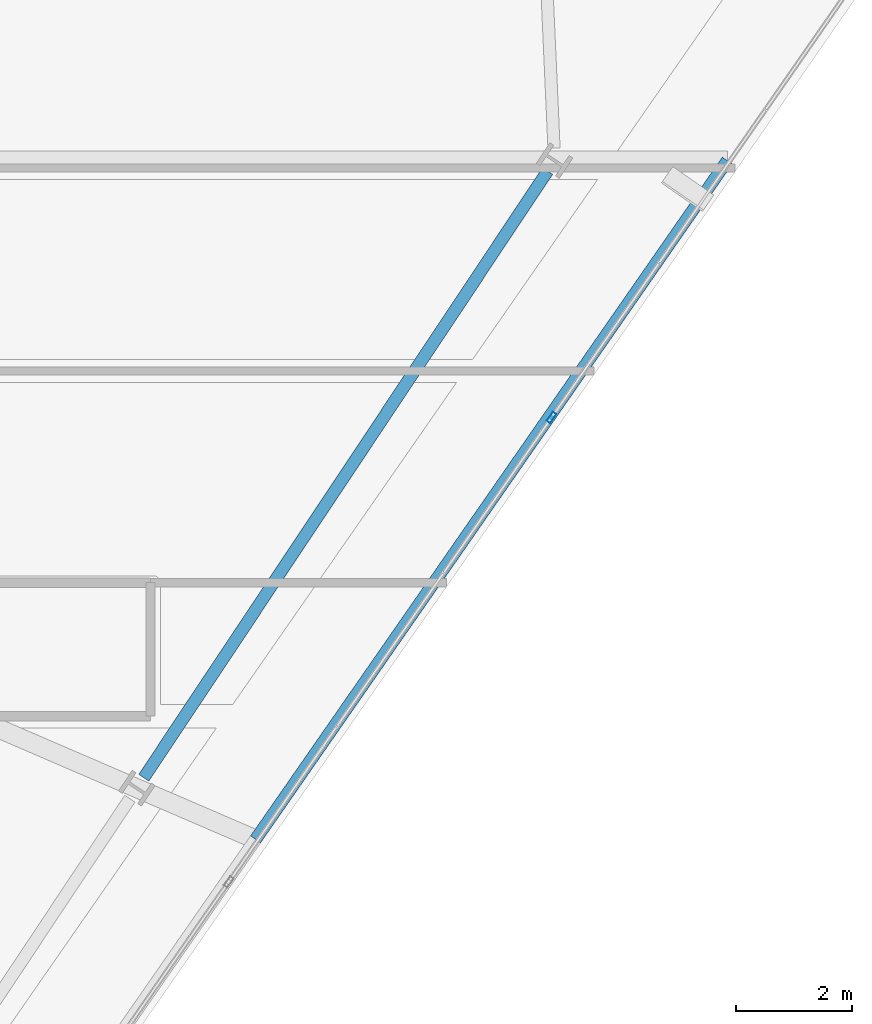
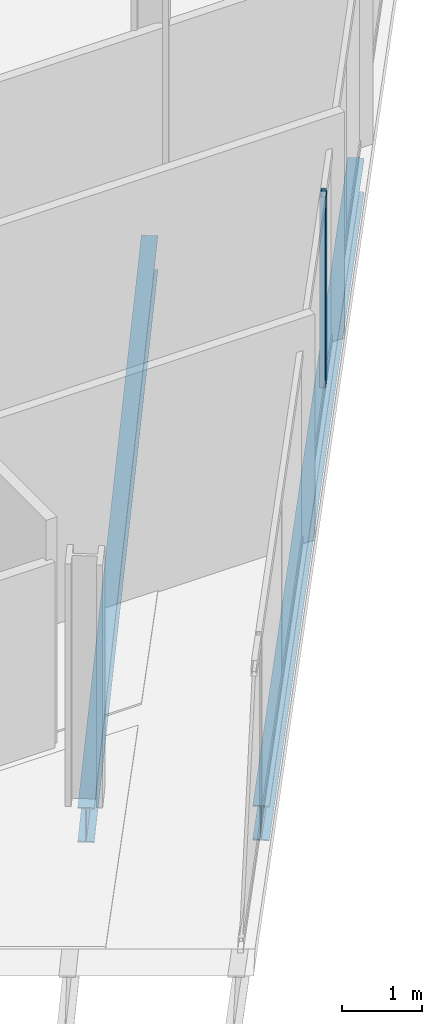
# One storey, part 12 of 30: 2 beams, 1 member, 1 element without a shape of its own.
"""IFC4 building model written with IfcOpenShell, lengths in metres."""

from ifc_helpers import new_model, si_unit, direction, frame, origin, origin_2d, place, context, subcontext, project, spatial, hollow_rectangle, i_section, extrude, material, material_profile, profile_set, type_object, element, aggregate, save


model = new_model("IFC4")

# Units and contexts
model_context = context("Model", 3, precision=1e-05, world=origin(), true_north=direction((0.0, 1.0)))
body_context = subcontext(model_context, "Body", "Model", "MODEL_VIEW")
ifc_project = project(units=[si_unit("LENGTHUNIT", "METRE"), si_unit("AREAUNIT", "SQUARE_METRE"), si_unit("VOLUMEUNIT", "CUBIC_METRE"), si_unit("PLANEANGLEUNIT", "RADIAN"), si_unit("MASSUNIT", "GRAM", prefix="KILO")], contexts=[model_context])

# Site, building, storey
site_placement = place(None, origin())
site = spatial("IfcSite", under=ifc_project, at=site_placement, CompositionType="ELEMENT")
building_placement = place(site_placement, origin())
building = spatial("IfcBuilding", under=site, at=building_placement, Name="Haldenkirk Collegiate Tower", CompositionType="ELEMENT")
storey_placement = place(building_placement, frame((0.0, 0.0, 213.449951171875)))
storey = spatial("IfcBuildingStorey", under=building, at=storey_placement, Name="L53", CompositionType="ELEMENT", Elevation=213.449951171875)

# Beams
ifc_material_1 = material(Name="Steel ASTM A992 Grade 50", Category="steel")
ifc_material_profile_1 = material_profile(ifc_material_1, i_section(OverallWidth=0.2099609375, OverallDepth=0.537109375, WebThickness=0.010986328125, FlangeThickness=0.017333984375, at=origin_2d()), Name="W21X68")
ifc_profile_set_1 = profile_set([ifc_material_profile_1], Name="Steel ASTM A992 Grade 50")
beam_type = type_object("IfcBeamType", Name="BM-SPANDREL-W21X68", PredefinedType="SPANDREL", material=ifc_profile_set_1)
beam_1_placement = place(storey_placement, frame((53.6845703125, 14.48876953125, -0.54833984375), z_axis=(0.554125989098, 0.832432813028, 0.0), x_axis=(-0.832432813028, 0.554125989098, 0.0)))
element("IfcBeam", 1, at=beam_1_placement, inside=storey, type_object=beam_type, Name="L53 perimeter spandrel beam 03", PredefinedType="SPANDREL", context=body_context, shape_type="SweptSolid", body=[
    extrude(i_section(OverallWidth=0.2099609375, OverallDepth=0.537109375, WebThickness=0.010986328125, FlangeThickness=0.017333984375, at=origin_2d()), origin(), (0.0, 0.0, 1.0), 12.56201171875),
])
beam_2_placement = place(storey_placement, frame((55.611083984375, 13.42578125, -0.54833984375), z_axis=(0.570720063594, 0.821144694321, 0.0), x_axis=(-0.821144694321, 0.570720063594, 0.0)))
element("IfcBeam", 2, at=beam_2_placement, inside=storey, type_object=beam_type, Name="L53 outer facade edge beam 1B", PredefinedType="SPANDREL", context=body_context, shape_type="SweptSolid", body=[
    extrude(i_section(OverallWidth=0.2099609375, OverallDepth=0.537109375, WebThickness=0.010986328125, FlangeThickness=0.017333984375, at=origin_2d()), origin(), (0.0, 0.0, 1.0), 14.249267578125),
])

# Curtain wall, member
ifc_material_2 = material(Name="Anodised architectural bronze aluminium", Category="aluminium")
curtain_wall_type = type_object("IfcCurtainWallType", Name="CW-SYS2-CONCAVE", PredefinedType="USERDEFINED", material=ifc_material_2)
curtain_wall_placement = place(storey_placement, origin())
curtain_wall = element("IfcCurtainWall", 3, at=curtain_wall_placement, inside=storey, type_object=curtain_wall_type, Name="L53 South concave recessed bronze-anodised curtain wall", ObjectType="UNITISED CURTAIN WALL", PredefinedType="USERDEFINED")
ifc_material_profile_2 = material_profile(ifc_material_2, hollow_rectangle(XDim=0.074951171875, YDim=0.18994140625, WallThickness=0.0048828125, at=origin_2d()), Name="CW-MUL-02")
ifc_profile_set_2 = profile_set([ifc_material_profile_2], Name="Anodised architectural bronze aluminium")
member_type = type_object("IfcMemberType", Name="CW-MUL-02", PredefinedType="MULLION", material=ifc_profile_set_2)
member_placement = place(storey_placement, frame((60.713623046875, 20.697265625, 0.0), z_axis=(0.0, 0.0, 1.0), x_axis=(0.82114783118, -0.570715550295, 0.0)))
member = element("IfcMember", 4, at=member_placement, type_object=member_type, Name="CW-02 mullion 2", PredefinedType="MULLION", context=body_context, shape_type="SweptSolid", body=[
    extrude(hollow_rectangle(XDim=0.074951171875, YDim=0.18994140625, WallThickness=0.0048828125, at=origin_2d()), origin(), (0.0, 0.0, 1.0), 2.927978515625),
])
aggregate(curtain_wall, [member])

save(model, "model.ifc")
